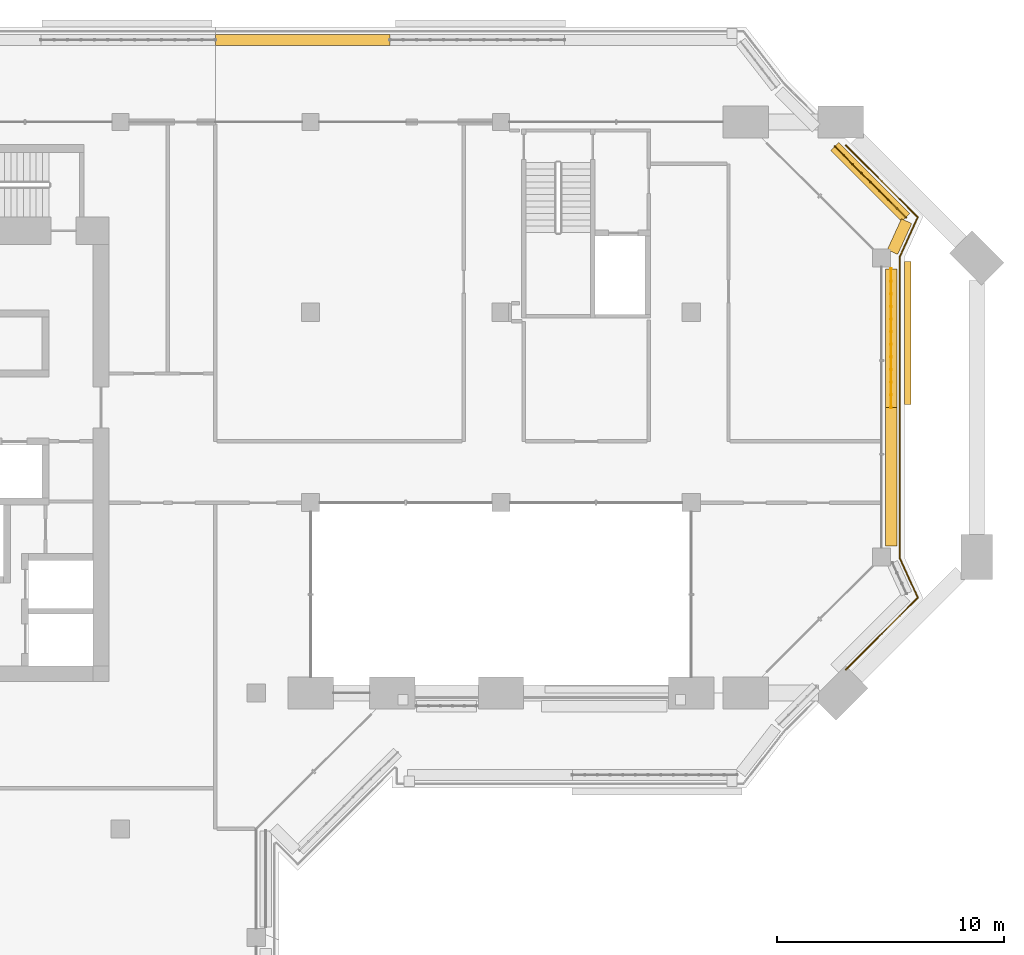
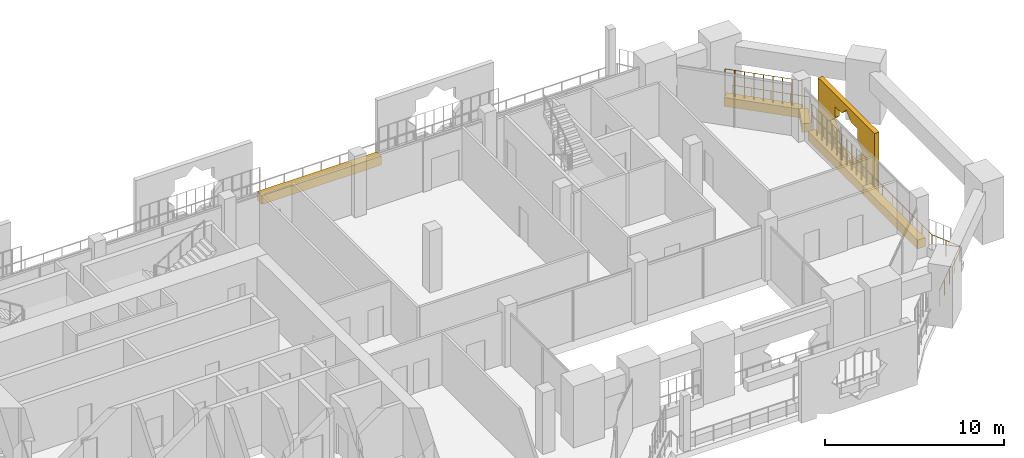
# One storey, part 21 of 22: 6 coverings, 3 railings.
"""IFC4 building model written with IfcOpenShell, lengths in metres."""

from ifc_helpers import new_model, si_unit, direction, frame, origin, origin_2d, place, context, subcontext, project, spatial, polyline, rectangle, circle, outline, extrude, material, material_profile, profile_set, type_object, element, save


model = new_model("IFC4")

# Units and contexts
model_context = context("Model", 3, precision=1e-05, world=origin(), true_north=direction((0.0, 1.0)))
body_context = subcontext(model_context, "Body", "Model", "MODEL_VIEW")
ifc_project = project(units=[si_unit("LENGTHUNIT", "METRE"), si_unit("AREAUNIT", "SQUARE_METRE"), si_unit("VOLUMEUNIT", "CUBIC_METRE"), si_unit("PLANEANGLEUNIT", "RADIAN"), si_unit("MASSUNIT", "GRAM", prefix="KILO")], contexts=[model_context])

# Site, building, storey
site_placement = place(None, origin())
site = spatial("IfcSite", under=ifc_project, at=site_placement, CompositionType="ELEMENT")
building_placement = place(site_placement, origin())
building = spatial("IfcBuilding", under=site, at=building_placement, Name="Kawkab Arch Medical Tower", CompositionType="ELEMENT")
storey_placement = place(building_placement, frame((0.0, 0.0, 286.0)))
storey = spatial("IfcBuildingStorey", under=building, at=storey_placement, Name="L66", CompositionType="ELEMENT", Elevation=286.0)

# Railing
ifc_material_1 = material(Name="Bronze anodised aluminium guard", Category="aluminium")
railing_type_1 = type_object("IfcRailingType", Name="Loggia and terrace guard 1100", PredefinedType="GUARDRAIL", material=ifc_material_1)
railing_1_placement = place(storey_placement, frame((57.222900390625, -1.030029296875, 0.0)))
element("IfcRailing", 1, at=railing_1_placement, inside=storey, type_object=railing_type_1, Name="Guard L66.LOG-01.2.2", PredefinedType="GUARDRAIL", context=body_context, shape_type="SweptSolid", body=[
    extrude(circle(Radius=0.02392578125, at=origin_2d()), frame((0.0, 0.0, 1.076171875), z_axis=(0.707106781187, -0.707106781187, 0.0), x_axis=(0.707106781187, 0.707106781187, 0.0)), (0.0, 0.0, 1.0), 4.490234375),
    extrude(circle(Radius=0.02392578125, at=origin_2d()), frame((3.175048828125, -3.175048828125, 1.076171875), z_axis=(-0.414452581809, -0.910070907914, 0.0), x_axis=(0.910070907914, -0.414452581809, 0.0)), (0.0, 0.0, 1.0), 1.925048828125),
    extrude(circle(Radius=0.02392578125, at=origin_2d()), frame((2.377197265625, -4.927001953125, 1.076171875), z_axis=(0.0, -1.0, 0.0), x_axis=(1.0, 0.0, 0.0)), (0.0, 0.0, 1.0), 13.285888671875),
    extrude(circle(Radius=0.02392578125, at=origin_2d()), frame((2.377197265625, -18.212890625, 1.076171875), z_axis=(0.414404752076, -0.910092688388, 0.0), x_axis=(0.910092688388, 0.414404752076, 0.0)), (0.0, 0.0, 1.0), 1.92529296875),
    extrude(circle(Radius=0.02392578125, at=origin_2d()), frame((3.175048828125, -19.965087890625, 1.076171875), z_axis=(-0.707133967668, -0.70707959366, 0.0), x_axis=(0.70707959366, -0.707133967668, 0.0)), (0.0, 0.0, 1.0), 4.489990234375),
    extrude(circle(Radius=0.02099609375, at=origin_2d()), origin(), (0.0, 0.0, 1.0), 1.052001953125),
    extrude(circle(Radius=0.02099609375, at=origin_2d()), frame((0.793701171875, -0.793701171875, 0.0)), (0.0, 0.0, 1.0), 1.052001953125),
    extrude(circle(Radius=0.02099609375, at=origin_2d()), frame((1.58740234375, -1.58740234375, 0.0)), (0.0, 0.0, 1.0), 1.052001953125),
    extrude(circle(Radius=0.02099609375, at=origin_2d()), frame((2.38134765625, -2.38134765625, 0.0)), (0.0, 0.0, 1.0), 1.052001953125),
    extrude(circle(Radius=0.02099609375, at=origin_2d()), frame((3.175048828125, -3.175048828125, 0.0)), (0.0, 0.0, 1.0), 1.052001953125),
    extrude(circle(Radius=0.02099609375, at=origin_2d()), frame((2.776123046875, -4.051025390625, 0.0)), (0.0, 0.0, 1.0), 1.052001953125),
    extrude(circle(Radius=0.02099609375, at=origin_2d()), frame((2.377197265625, -4.927001953125, 0.0)), (0.0, 0.0, 1.0), 1.052001953125),
    extrude(circle(Radius=0.02099609375, at=origin_2d()), frame((2.377197265625, -6.0341796875, 0.0)), (0.0, 0.0, 1.0), 1.052001953125),
    extrude(circle(Radius=0.02099609375, at=origin_2d()), frame((2.377197265625, -7.141357421875, 0.0)), (0.0, 0.0, 1.0), 1.052001953125),
    extrude(circle(Radius=0.02099609375, at=origin_2d()), frame((2.377197265625, -8.24853515625, 0.0)), (0.0, 0.0, 1.0), 1.052001953125),
    extrude(circle(Radius=0.02099609375, at=origin_2d()), frame((2.377197265625, -9.355712890625, 0.0)), (0.0, 0.0, 1.0), 1.052001953125),
    extrude(circle(Radius=0.02099609375, at=origin_2d()), frame((2.377197265625, -10.462890625, 0.0)), (0.0, 0.0, 1.0), 1.052001953125),
    extrude(circle(Radius=0.02099609375, at=origin_2d()), frame((2.377197265625, -11.56982421875, 0.0)), (0.0, 0.0, 1.0), 1.052001953125),
    extrude(circle(Radius=0.02099609375, at=origin_2d()), frame((2.377197265625, -12.677001953125, 0.0)), (0.0, 0.0, 1.0), 1.052001953125),
    extrude(circle(Radius=0.02099609375, at=origin_2d()), frame((2.377197265625, -13.7841796875, 0.0)), (0.0, 0.0, 1.0), 1.052001953125),
    extrude(circle(Radius=0.02099609375, at=origin_2d()), frame((2.377197265625, -14.891357421875, 0.0)), (0.0, 0.0, 1.0), 1.052001953125),
    extrude(circle(Radius=0.02099609375, at=origin_2d()), frame((2.377197265625, -15.99853515625, 0.0)), (0.0, 0.0, 1.0), 1.052001953125),
    extrude(circle(Radius=0.02099609375, at=origin_2d()), frame((2.377197265625, -17.105712890625, 0.0)), (0.0, 0.0, 1.0), 1.052001953125),
    extrude(circle(Radius=0.02099609375, at=origin_2d()), frame((2.377197265625, -18.212890625, 0.0)), (0.0, 0.0, 1.0), 1.052001953125),
    extrude(circle(Radius=0.02099609375, at=origin_2d()), frame((2.776123046875, -19.0888671875, 0.0)), (0.0, 0.0, 1.0), 1.052001953125),
    extrude(circle(Radius=0.02099609375, at=origin_2d()), frame((3.175048828125, -19.965087890625, 0.0)), (0.0, 0.0, 1.0), 1.052001953125),
    extrude(circle(Radius=0.02099609375, at=origin_2d()), frame((2.38134765625, -20.7587890625, 0.0)), (0.0, 0.0, 1.0), 1.052001953125),
    extrude(circle(Radius=0.02099609375, at=origin_2d()), frame((1.58740234375, -21.552490234375, 0.0)), (0.0, 0.0, 1.0), 1.052001953125),
    extrude(circle(Radius=0.02099609375, at=origin_2d()), frame((0.793701171875, -22.34619140625, 0.0)), (0.0, 0.0, 1.0), 1.052001953125),
    extrude(circle(Radius=0.02099609375, at=origin_2d()), frame((0.0, -23.139892578125, 0.0)), (0.0, 0.0, 1.0), 1.052001953125),
])

# Coverings
ifc_material_2 = material(Name="Bronze anodised aluminium mashrabiya panel, eight-point star pattern", Category="aluminium")
ifc_material_profile_1 = material_profile(ifc_material_2, outline(polyline([(-3.14990234375, -2.10009765625), (3.14990234375, -2.10009765625), (3.14990234375, 2.10009765625), (-3.14990234375, 2.10009765625), (-3.14990234375, -2.10009765625)]), holes=[polyline([(1.800048828125, 0.0), (1.272705078125, 0.527099609375), (1.272705078125, 1.272705078125), (0.527099609375, 1.272705078125), (0.0, 1.800048828125), (-0.527099609375, 1.272705078125), (-1.272705078125, 1.272705078125), (-1.272705078125, 0.527099609375), (-1.800048828125, 0.0), (-1.272705078125, -0.527099609375), (-1.272705078125, -1.272705078125), (-0.527099609375, -1.272705078125), (0.0, -1.800048828125), (0.527099609375, -1.272705078125), (1.272705078125, -1.272705078125), (1.272705078125, -0.527099609375), (1.800048828125, 0.0)])]), Name="Mashrabiya panel 6300x4200")
ifc_profile_set_1 = profile_set([ifc_material_profile_1], Name="Bronze anodised aluminium mashrabiya panel, eight-point star pattern")
covering_type_1 = type_object("IfcCoveringType", Name="Mashrabiya panel 6300 x 4200", PredefinedType="USERDEFINED", material=ifc_profile_set_1)
covering_1_placement = place(storey_placement, frame((59.800048828125, -9.31884765625, 1.699951171875), z_axis=(1.0, 0.0, 0.0), x_axis=(0.0, 1.0, 0.0)))
element("IfcCovering", 2, at=covering_1_placement, inside=storey, type_object=covering_type_1, Name="Mashrabiya panel L66.LOG-01-02.6", ObjectType="SCREEN", PredefinedType="USERDEFINED", context=body_context, shape_type="SweptSolid", body=[
    extrude(outline(polyline([(-3.14990234375, -2.10009765625), (3.14990234375, -2.10009765625), (3.14990234375, 2.10009765625), (-3.14990234375, 2.10009765625), (-3.14990234375, -2.10009765625)]), holes=[polyline([(1.800048828125, 0.0), (1.272705078125, 0.527099609375), (1.272705078125, 1.272705078125), (0.527099609375, 1.272705078125), (0.0, 1.800048828125), (-0.527099609375, 1.272705078125), (-1.272705078125, 1.272705078125), (-1.272705078125, 0.527099609375), (-1.800048828125, 0.0), (-1.272705078125, -0.527099609375), (-1.272705078125, -1.272705078125), (-0.527099609375, -1.272705078125), (0.0, -1.800048828125), (0.527099609375, -1.272705078125), (1.272705078125, -1.272705078125), (1.272705078125, -0.527099609375), (1.800048828125, 0.0)])]), origin(), (0.0, 0.0, 1.0), 0.300048828125),
])
ifc_material_3 = material(Name="Planting soil in a precast trough", Category="concrete")
ifc_material_profile_2 = material_profile(ifc_material_3, rectangle(XDim=0.5, YDim=0.60009765625, at=origin_2d()), Name="Trough 500x600")
ifc_profile_set_2 = profile_set([ifc_material_profile_2], Name="Planting soil in a precast trough")
covering_type_2 = type_object("IfcCoveringType", Name="Planter trough 500 x 600", PredefinedType="USERDEFINED", material=ifc_profile_set_2)
covering_2_placement = place(storey_placement, frame((29.39990234375, 3.6201171875, 0.300048828125), z_axis=(1.0, 0.0, 0.0), x_axis=(0.0, 1.0, 0.0)))
element("IfcCovering", 3, at=covering_2_placement, inside=storey, type_object=covering_type_2, Name="Planter L66.LOG-01-02.16", ObjectType="PLANTER", PredefinedType="USERDEFINED", context=body_context, shape_type="SweptSolid", body=[
    extrude(rectangle(XDim=0.5, YDim=0.60009765625, at=origin_2d()), origin(), (0.0, 0.0, 1.0), 7.705078125),
])
covering_3_placement = place(storey_placement, frame((56.736083984375, -1.080078125, 0.300048828125), z_axis=(0.707106781187, -0.707106781187, 0.0), x_axis=(0.707106781187, 0.707106781187, 0.0)))
element("IfcCovering", 4, at=covering_3_placement, inside=storey, type_object=covering_type_2, Name="Planter L66.LOG-01-02.21", ObjectType="PLANTER", PredefinedType="USERDEFINED", context=body_context, shape_type="SweptSolid", body=[
    extrude(rectangle(XDim=0.5, YDim=0.60009765625, at=origin_2d()), origin(), (0.0, 0.0, 1.0), 4.436279296875),
])
covering_4_placement = place(storey_placement, frame((59.902099609375, -4.37890625, 0.300048828125), z_axis=(-0.415189748133, -0.909734836667, 0.0), x_axis=(0.909734836667, -0.415189748133, 0.0)))
element("IfcCovering", 5, at=covering_4_placement, inside=storey, type_object=covering_type_2, Name="Planter L66.LOG-01-02.22", ObjectType="PLANTER", PredefinedType="USERDEFINED", context=body_context, shape_type="SweptSolid", body=[
    extrude(rectangle(XDim=0.5, YDim=0.60009765625, at=origin_2d()), origin(), (0.0, 0.0, 1.0), 1.498291015625),
])
covering_5_placement = place(storey_placement, frame((59.219970703125, -6.47998046875, 0.300048828125), z_axis=(0.0, -1.0, 0.0), x_axis=(1.0, 0.0, 0.0)))
element("IfcCovering", 6, at=covering_5_placement, inside=storey, type_object=covering_type_2, Name="Planter L66.LOG-01-02.23", ObjectType="PLANTER", PredefinedType="USERDEFINED", context=body_context, shape_type="SweptSolid", body=[
    extrude(rectangle(XDim=0.5, YDim=0.60009765625, at=origin_2d()), origin(), (0.0, 0.0, 1.0), 6.1201171875),
])
covering_6_placement = place(storey_placement, frame((59.219970703125, -12.60009765625, 0.300048828125), z_axis=(0.0, -1.0, 0.0), x_axis=(1.0, 0.0, 0.0)))
element("IfcCovering", 7, at=covering_6_placement, inside=storey, type_object=covering_type_2, Name="Planter L66.LOG-01-02.24", ObjectType="PLANTER", PredefinedType="USERDEFINED", context=body_context, shape_type="SweptSolid", body=[
    extrude(rectangle(XDim=0.5, YDim=0.60009765625, at=origin_2d()), origin(), (0.0, 0.0, 1.0), 6.119873046875),
])

# Railings
ifc_material_4 = material(Name="Bronze anodised aluminium trellis for climbing plants", Category="aluminium")
railing_type_2 = type_object("IfcRailingType", Name="Planting trellis 2400", PredefinedType="USERDEFINED", material=ifc_material_4)
railing_2_placement = place(storey_placement, frame((56.736083984375, -1.080078125, 0.0)))
element("IfcRailing", 8, at=railing_2_placement, inside=storey, type_object=railing_type_2, Name="Planting trellis L66.LOG-01-02.21", ObjectType="TRELLIS", PredefinedType="USERDEFINED", context=body_context, shape_type="SweptSolid", body=[
    extrude(circle(Radius=0.01513671875, at=origin_2d()), frame((0.0, 0.0, 2.384765625), z_axis=(0.707106781187, -0.707106781187, 0.0), x_axis=(0.707106781187, 0.707106781187, 0.0)), (0.0, 0.0, 1.0), 4.436279296875),
    extrude(circle(Radius=0.030029296875, at=origin_2d()), origin(), (0.0, 0.0, 1.0), 2.369873046875),
    extrude(circle(Radius=0.030029296875, at=origin_2d()), frame((0.39208984375, -0.39208984375, 0.0)), (0.0, 0.0, 1.0), 2.369873046875),
    extrude(circle(Radius=0.030029296875, at=origin_2d()), frame((0.7841796875, -0.7841796875, 0.0)), (0.0, 0.0, 1.0), 2.369873046875),
    extrude(circle(Radius=0.030029296875, at=origin_2d()), frame((1.17626953125, -1.17626953125, 0.0)), (0.0, 0.0, 1.0), 2.369873046875),
    extrude(circle(Radius=0.030029296875, at=origin_2d()), frame((1.568359375, -1.568359375, 0.0)), (0.0, 0.0, 1.0), 2.369873046875),
    extrude(circle(Radius=0.030029296875, at=origin_2d()), frame((1.960693359375, -1.960693359375, 0.0)), (0.0, 0.0, 1.0), 2.369873046875),
    extrude(circle(Radius=0.030029296875, at=origin_2d()), frame((2.352783203125, -2.352783203125, 0.0)), (0.0, 0.0, 1.0), 2.369873046875),
    extrude(circle(Radius=0.030029296875, at=origin_2d()), frame((2.744873046875, -2.744873046875, 0.0)), (0.0, 0.0, 1.0), 2.369873046875),
    extrude(circle(Radius=0.030029296875, at=origin_2d()), frame((3.136962890625, -3.136962890625, 0.0)), (0.0, 0.0, 1.0), 2.369873046875),
])
railing_3_placement = place(storey_placement, frame((59.219970703125, -6.47998046875, 0.0)))
element("IfcRailing", 9, at=railing_3_placement, inside=storey, type_object=railing_type_2, Name="Planting trellis L66.LOG-01-02.23", ObjectType="TRELLIS", PredefinedType="USERDEFINED", context=body_context, shape_type="SweptSolid", body=[
    extrude(circle(Radius=0.01513671875, at=origin_2d()), frame((0.0, 0.0, 2.384765625), z_axis=(0.0, -1.0, 0.0), x_axis=(1.0, 0.0, 0.0)), (0.0, 0.0, 1.0), 6.1201171875),
    extrude(circle(Radius=0.030029296875, at=origin_2d()), origin(), (0.0, 0.0, 1.0), 2.369873046875),
    extrude(circle(Radius=0.030029296875, at=origin_2d()), frame((0.0, -0.556396484375, 0.0)), (0.0, 0.0, 1.0), 2.369873046875),
    extrude(circle(Radius=0.030029296875, at=origin_2d()), frame((0.0, -1.11279296875, 0.0)), (0.0, 0.0, 1.0), 2.369873046875),
    extrude(circle(Radius=0.030029296875, at=origin_2d()), frame((0.0, -1.669189453125, 0.0)), (0.0, 0.0, 1.0), 2.369873046875),
    extrude(circle(Radius=0.030029296875, at=origin_2d()), frame((0.0, -2.2255859375, 0.0)), (0.0, 0.0, 1.0), 2.369873046875),
    extrude(circle(Radius=0.030029296875, at=origin_2d()), frame((0.0, -2.781982421875, 0.0)), (0.0, 0.0, 1.0), 2.369873046875),
    extrude(circle(Radius=0.030029296875, at=origin_2d()), frame((0.0, -3.338134765625, 0.0)), (0.0, 0.0, 1.0), 2.369873046875),
    extrude(circle(Radius=0.030029296875, at=origin_2d()), frame((0.0, -3.89453125, 0.0)), (0.0, 0.0, 1.0), 2.369873046875),
    extrude(circle(Radius=0.030029296875, at=origin_2d()), frame((0.0, -4.450927734375, 0.0)), (0.0, 0.0, 1.0), 2.369873046875),
    extrude(circle(Radius=0.030029296875, at=origin_2d()), frame((0.0, -5.00732421875, 0.0)), (0.0, 0.0, 1.0), 2.369873046875),
    extrude(circle(Radius=0.030029296875, at=origin_2d()), frame((0.0, -5.563720703125, 0.0)), (0.0, 0.0, 1.0), 2.369873046875),
    extrude(circle(Radius=0.030029296875, at=origin_2d()), frame((0.0, -6.1201171875, 0.0)), (0.0, 0.0, 1.0), 2.369873046875),
])

save(model, "model.ifc")
